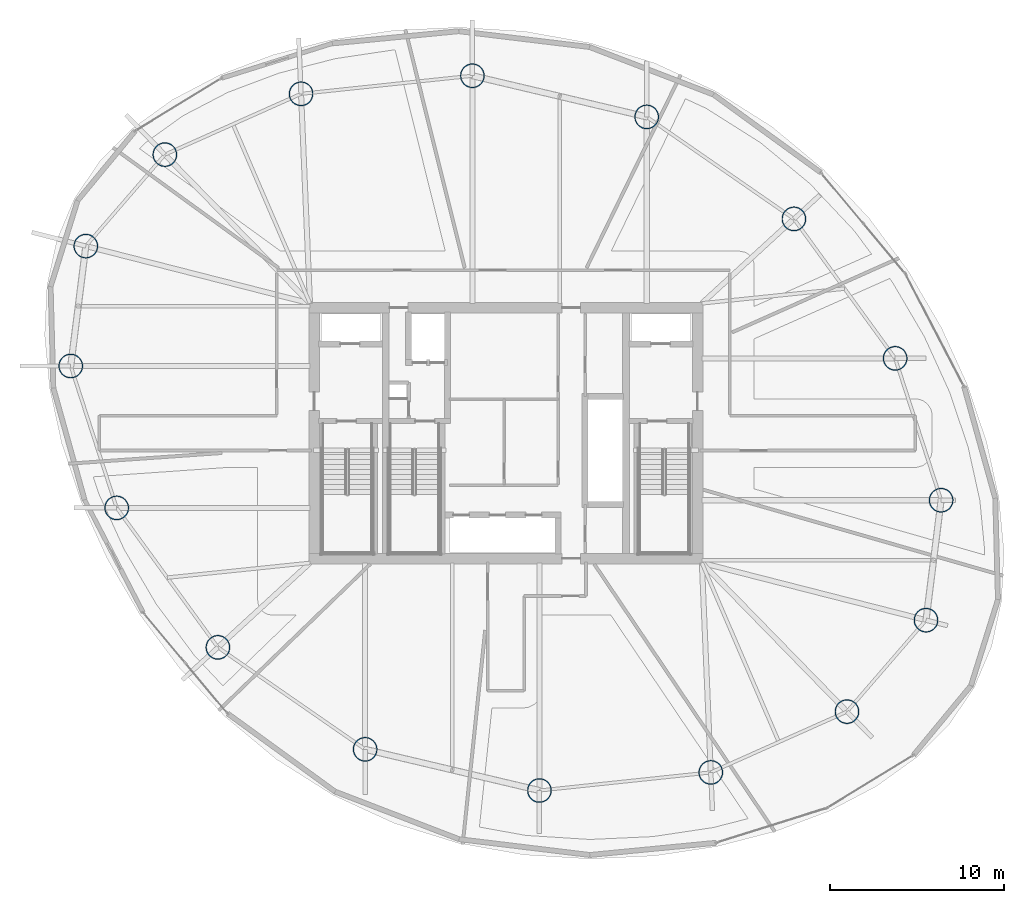
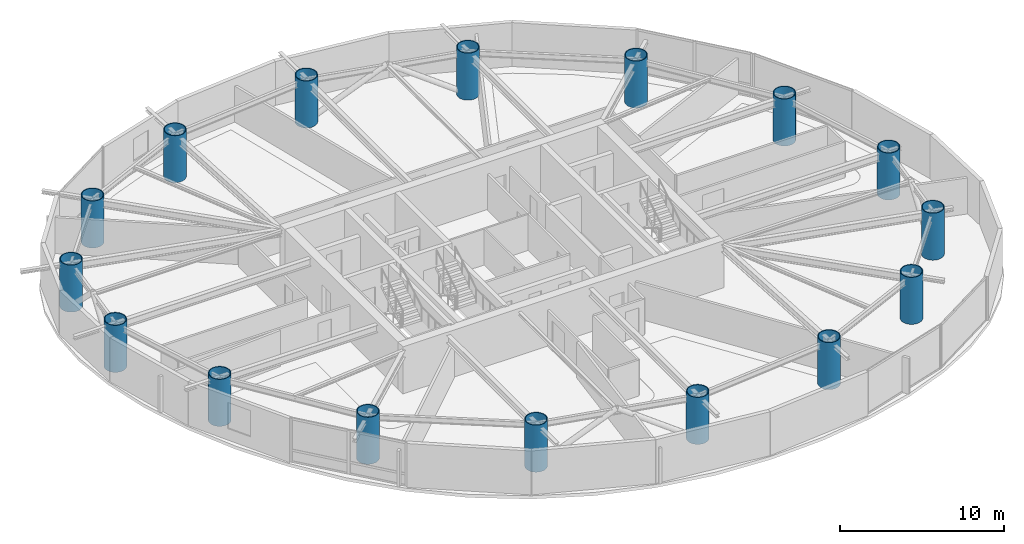
# One storey, part 1 of 20: 16 columns.
"""IFC4 building model written with IfcOpenShell, lengths in metres."""

from ifc_helpers import new_model, si_unit, direction, frame, origin, origin_2d, place, context, subcontext, project, spatial, hollow_circle, extrude, material, material_profile, profile_set, type_object, element, save


model = new_model("IFC4")

# Units and contexts
model_context = context("Model", 3, precision=1e-05, world=origin(), true_north=direction((0.0, 1.0)))
body_context = subcontext(model_context, "Body", "Model", "MODEL_VIEW")
ifc_project = project(units=[si_unit("LENGTHUNIT", "METRE"), si_unit("AREAUNIT", "SQUARE_METRE"), si_unit("VOLUMEUNIT", "CUBIC_METRE"), si_unit("PLANEANGLEUNIT", "RADIAN"), si_unit("MASSUNIT", "GRAM", prefix="KILO")], contexts=[model_context])

# Site, building, storey
site_placement = place(None, origin())
site = spatial("IfcSite", under=ifc_project, at=site_placement, CompositionType="ELEMENT")
building_placement = place(site_placement, origin())
building = spatial("IfcBuilding", under=site, at=building_placement, Name="Bramvorn Convention Spire", CompositionType="ELEMENT")
storey_placement = place(building_placement, frame((0.0, 0.0, 144.800048828125)))
storey = spatial("IfcBuildingStorey", under=building, at=storey_placement, Name="L36", CompositionType="ELEMENT", Elevation=144.800048828125)

# Columns
ifc_material = material(Name="Steel CSA G40.21 Grade 350 (350W)", Category="steel")
ifc_material_profile = material_profile(ifc_material, hollow_circle(Radius=0.699951171875, WallThickness=0.054931640625, at=origin_2d()))
ifc_profile_set = profile_set([ifc_material_profile], Name="Steel CSA G40.21 Grade 350 (350W) - CFT1400X55")
column_type = type_object("IfcColumnType", Name="COL-CFT1400X55", PredefinedType="COLUMN", material=ifc_profile_set)
for number, where, z_axis, x_axis, name in (
    (1, (62.11767578125, 15.26220703125, 0.0), (0.0, 0.0, 1.0), (1.0, 0.0, 0.0), "L36 composite CFT mega-column MC01"),
    (2, (62.983642578125, 22.148193359375, 0.0), (0.0, 0.0, 1.0), (1.0, 0.0, 0.0), "L36 composite CFT mega-column MC02"),
    (3, (60.345703125, 30.293212890625, 0.0), (0.0, 0.0, 1.0), (1.0, 0.0, 0.0), "L36 composite CFT mega-column MC03"),
    (4, (54.534912109375, 38.299072265625, 0.0), (0.0, 0.0, 1.0), (1.0, 0.0, 0.0), "L36 composite CFT mega-column MC04"),
    (5, (46.082763671875, 44.154052734375, 0.0), (0.0, 0.0, 1.0), (1.0, 0.0, 0.0), "L36 composite CFT mega-column MC05"),
    (6, (36.075927734375, 46.517333984375, 0.0), (0.0, 0.0, 1.0), (1.0, 0.0, 0.0), "L36 composite CFT mega-column MC06"),
    (7, (26.23828125, 45.478759765625, 0.0), (0.0, 0.0, 1.0), (1.0, 0.0, 0.0), "L36 composite CFT mega-column MC07"),
    (8, (18.420166015625, 41.9892578125, 0.0), (0.0, 0.0, 1.0), (1.0, 0.0, 0.0), "L36 composite CFT mega-column MC08"),
    (9, (13.88232421875, 36.73779296875, 0.0), (0.0, 0.0, 1.0), (1.0, 0.0, 0.0), "L36 composite CFT mega-column MC09"),
    (10, (13.016357421875, 29.851806640625, 0.0), (0.0, 0.0, 1.0), (1.0, 0.0, 0.0), "L36 composite CFT mega-column MC10"),
    (11, (15.654296875, 21.706787109375, 0.0), (0.0, 0.0, 1.0), (1.0, 0.0, 0.0), "L36 composite CFT mega-column MC11"),
    (12, (21.465087890625, 13.700927734375, 0.0), (0.0, 0.0, 1.0), (1.0, 0.0, 0.0), "L36 composite CFT mega-column MC12"),
    (13, (29.917236328125, 7.845947265625, 0.0), (0.0, 0.0, 1.0), (1.0, 0.0, 0.0), "L36 composite CFT mega-column MC13"),
    (14, (39.924072265625, 5.482666015625, 0.0), (0.0, 0.0, 1.0), (1.0, 0.0, 0.0), "L36 composite CFT mega-column MC14"),
    (15, (49.76171875, 6.521240234375, 0.0), (0.0, 0.0, 1.0), (1.0, 0.0, 0.0), "L36 composite CFT mega-column MC15"),
    (16, (57.579833984375, 10.0107421875, 0.0), (0.0, 0.0, 1.0), (1.0, 0.0, 0.0), "L36 composite CFT mega-column MC16"),
):
    element("IfcColumn", number, at=place(storey_placement, frame(where, z_axis=z_axis, x_axis=x_axis)), inside=storey, type_object=column_type, Name=name, PredefinedType="COLUMN", context=body_context, shape_type="SweptSolid", body=[
        extrude(hollow_circle(Radius=0.699951171875, WallThickness=0.054931640625, at=origin_2d()), origin(), (0.0, 0.0, 1.0), 3.5),
    ])

save(model, "model.ifc")
